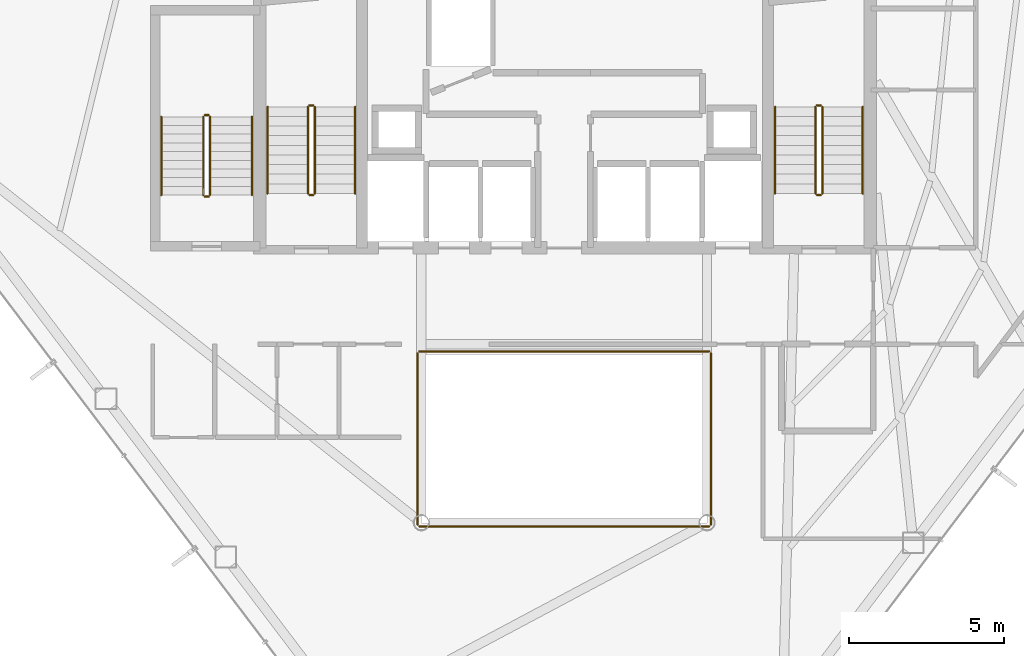
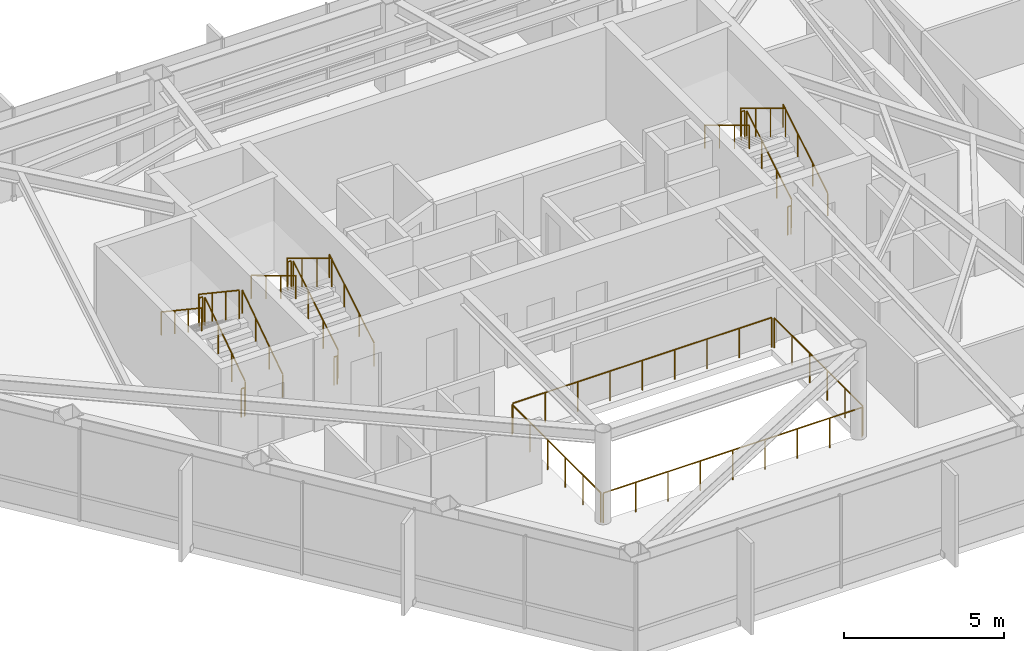
# One storey, part 27 of 27: 22 railings.
"""IFC4 building model written with IfcOpenShell, lengths in metres."""

from ifc_helpers import new_model, si_unit, direction, frame, origin, origin_2d, place, context, subcontext, project, spatial, circle, extrude, material, type_object, element, save


model = new_model("IFC4")

# Units and contexts
model_context = context("Model", 3, precision=1e-05, world=origin(), true_north=direction((0.0, 1.0)))
body_context = subcontext(model_context, "Body", "Model", "MODEL_VIEW")
ifc_project = project(units=[si_unit("LENGTHUNIT", "METRE"), si_unit("AREAUNIT", "SQUARE_METRE"), si_unit("VOLUMEUNIT", "CUBIC_METRE"), si_unit("PLANEANGLEUNIT", "RADIAN"), si_unit("MASSUNIT", "GRAM", prefix="KILO")], contexts=[model_context])

# Site, building, storey
site_placement = place(None, origin())
site = spatial("IfcSite", under=ifc_project, at=site_placement, CompositionType="ELEMENT")
building_placement = place(site_placement, origin())
building = spatial("IfcBuilding", under=site, at=building_placement, Name="Zarrinselat Tower", CompositionType="ELEMENT")
storey_placement = place(building_placement, frame((0.0, 0.0, 175.780029296875)))
storey = spatial("IfcBuildingStorey", under=building, at=storey_placement, Name="L43", CompositionType="ELEMENT", Elevation=175.780029296875)

# Railings
ifc_material_1 = material(Name="Double Low-E Laminated Solar Glass", Category="glass")
railing_type_1 = type_object("IfcRailingType", Name="RLG-ATRIUM-BAL", PredefinedType="BALUSTRADE", material=ifc_material_1)
railing_1_placement = place(storey_placement, frame((33.739990234375, 24.280029296875, 0.0)))
element("IfcRailing", 1, at=railing_1_placement, inside=storey, type_object=railing_type_1, Name="L43 Atrium Void Glass Balustrade S", PredefinedType="BALUSTRADE", context=body_context, shape_type="SweptSolid", body=[
    extrude(circle(Radius=0.02392578125, at=origin_2d()), frame((0.0, 0.0, 1.1259765625), z_axis=(1.0, 0.0, 0.0), x_axis=(0.0, 1.0, 0.0)), (0.0, 0.0, 1.0), 9.320068359375),
    extrude(circle(Radius=0.02099609375, at=origin_2d()), origin(), (0.0, 0.0, 1.0), 1.099853515625),
    extrude(circle(Radius=0.02099609375, at=origin_2d()), frame((1.1650390625, 0.0, 0.0)), (0.0, 0.0, 1.0), 1.099853515625),
    extrude(circle(Radius=0.02099609375, at=origin_2d()), frame((2.330078125, 0.0, 0.0)), (0.0, 0.0, 1.0), 1.099853515625),
    extrude(circle(Radius=0.02099609375, at=origin_2d()), frame((3.4951171875, 0.0, 0.0)), (0.0, 0.0, 1.0), 1.099853515625),
    extrude(circle(Radius=0.02099609375, at=origin_2d()), frame((4.66015625, 0.0, 0.0)), (0.0, 0.0, 1.0), 1.099853515625),
    extrude(circle(Radius=0.02099609375, at=origin_2d()), frame((5.824951171875, 0.0, 0.0)), (0.0, 0.0, 1.0), 1.099853515625),
    extrude(circle(Radius=0.02099609375, at=origin_2d()), frame((6.989990234375, 0.0, 0.0)), (0.0, 0.0, 1.0), 1.099853515625),
    extrude(circle(Radius=0.02099609375, at=origin_2d()), frame((8.155029296875, 0.0, 0.0)), (0.0, 0.0, 1.0), 1.099853515625),
    extrude(circle(Radius=0.02099609375, at=origin_2d()), frame((9.320068359375, 0.0, 0.0)), (0.0, 0.0, 1.0), 1.099853515625),
])
railing_2_placement = place(storey_placement, frame((43.1201171875, 24.340087890625, 0.0)))
element("IfcRailing", 2, at=railing_2_placement, inside=storey, type_object=railing_type_1, Name="L43 Atrium Void Glass Balustrade E", PredefinedType="BALUSTRADE", context=body_context, shape_type="SweptSolid", body=[
    extrude(circle(Radius=0.02392578125, at=origin_2d()), frame((0.0, 0.0, 1.1259765625), z_axis=(0.0, 1.0, 0.0), x_axis=(-1.0, 0.0, 0.0)), (0.0, 0.0, 1.0), 5.52001953125),
    extrude(circle(Radius=0.02099609375, at=origin_2d()), origin(), (0.0, 0.0, 1.0), 1.099853515625),
    extrude(circle(Radius=0.02099609375, at=origin_2d()), frame((0.0, 1.10400390625, 0.0)), (0.0, 0.0, 1.0), 1.099853515625),
    extrude(circle(Radius=0.02099609375, at=origin_2d()), frame((0.0, 2.2080078125, 0.0)), (0.0, 0.0, 1.0), 1.099853515625),
    extrude(circle(Radius=0.02099609375, at=origin_2d()), frame((0.0, 3.31201171875, 0.0)), (0.0, 0.0, 1.0), 1.099853515625),
    extrude(circle(Radius=0.02099609375, at=origin_2d()), frame((0.0, 4.416015625, 0.0)), (0.0, 0.0, 1.0), 1.099853515625),
    extrude(circle(Radius=0.02099609375, at=origin_2d()), frame((0.0, 5.52001953125, 0.0)), (0.0, 0.0, 1.0), 1.099853515625),
])
railing_3_placement = place(storey_placement, frame((43.06005859375, 29.919921875, 0.0)))
element("IfcRailing", 3, at=railing_3_placement, inside=storey, type_object=railing_type_1, Name="L43 Atrium Void Glass Balustrade N", PredefinedType="BALUSTRADE", context=body_context, shape_type="SweptSolid", body=[
    extrude(circle(Radius=0.02392578125, at=origin_2d()), frame((0.0, 0.0, 1.1259765625), z_axis=(-1.0, 0.0, 0.0), x_axis=(0.0, -1.0, 0.0)), (0.0, 0.0, 1.0), 9.320068359375),
    extrude(circle(Radius=0.02099609375, at=origin_2d()), origin(), (0.0, 0.0, 1.0), 1.099853515625),
    extrude(circle(Radius=0.02099609375, at=origin_2d()), frame((-1.1650390625, 0.0, 0.0)), (0.0, 0.0, 1.0), 1.099853515625),
    extrude(circle(Radius=0.02099609375, at=origin_2d()), frame((-2.330078125, 0.0, 0.0)), (0.0, 0.0, 1.0), 1.099853515625),
    extrude(circle(Radius=0.02099609375, at=origin_2d()), frame((-3.4951171875, 0.0, 0.0)), (0.0, 0.0, 1.0), 1.099853515625),
    extrude(circle(Radius=0.02099609375, at=origin_2d()), frame((-4.66015625, 0.0, 0.0)), (0.0, 0.0, 1.0), 1.099853515625),
    extrude(circle(Radius=0.02099609375, at=origin_2d()), frame((-5.824951171875, 0.0, 0.0)), (0.0, 0.0, 1.0), 1.099853515625),
    extrude(circle(Radius=0.02099609375, at=origin_2d()), frame((-6.989990234375, 0.0, 0.0)), (0.0, 0.0, 1.0), 1.099853515625),
    extrude(circle(Radius=0.02099609375, at=origin_2d()), frame((-8.155029296875, 0.0, 0.0)), (0.0, 0.0, 1.0), 1.099853515625),
    extrude(circle(Radius=0.02099609375, at=origin_2d()), frame((-9.320068359375, 0.0, 0.0)), (0.0, 0.0, 1.0), 1.099853515625),
])
railing_4_placement = place(storey_placement, frame((33.679931640625, 29.860107421875, 0.0)))
element("IfcRailing", 4, at=railing_4_placement, inside=storey, type_object=railing_type_1, Name="L43 Atrium Void Glass Balustrade W", PredefinedType="BALUSTRADE", context=body_context, shape_type="SweptSolid", body=[
    extrude(circle(Radius=0.02392578125, at=origin_2d()), frame((0.0, 0.0, 1.1259765625), z_axis=(0.0, -1.0, 0.0), x_axis=(1.0, 0.0, 0.0)), (0.0, 0.0, 1.0), 5.52001953125),
    extrude(circle(Radius=0.02099609375, at=origin_2d()), origin(), (0.0, 0.0, 1.0), 1.099853515625),
    extrude(circle(Radius=0.02099609375, at=origin_2d()), frame((0.0, -1.10400390625, 0.0)), (0.0, 0.0, 1.0), 1.099853515625),
    extrude(circle(Radius=0.02099609375, at=origin_2d()), frame((0.0, -2.2080078125, 0.0)), (0.0, 0.0, 1.0), 1.099853515625),
    extrude(circle(Radius=0.02099609375, at=origin_2d()), frame((0.0, -3.31201171875, 0.0)), (0.0, 0.0, 1.0), 1.099853515625),
    extrude(circle(Radius=0.02099609375, at=origin_2d()), frame((0.0, -4.416015625, 0.0)), (0.0, 0.0, 1.0), 1.099853515625),
    extrude(circle(Radius=0.02099609375, at=origin_2d()), frame((0.0, -5.52001953125, 0.0)), (0.0, 0.0, 1.0), 1.099853515625),
])
ifc_material_2 = material(Name="Steel S355J2", Category="steel")
railing_type_2 = type_object("IfcRailingType", Name="RLG-STAIR-GUARD", PredefinedType="GUARDRAIL", material=ifc_material_2)
railing_5_placement = place(storey_placement, frame((30.3701171875, 35.0, 0.18701171875)))
element("IfcRailing", 5, at=railing_5_placement, inside=storey, type_object=railing_type_2, Name="L43 ST-1 stair guard 1", PredefinedType="GUARDRAIL", context=body_context, shape_type="SweptSolid", body=[
    extrude(circle(Radius=0.02392578125, at=origin_2d()), frame((0.0, 0.0, 1.076171875), z_axis=(0.0, 0.856293938615, 0.516488809842), x_axis=(-1.0, 0.0, 0.0)), (0.0, 0.0, 1.0), 3.25830078125),
    extrude(circle(Radius=0.02099609375, at=origin_2d()), origin(), (0.0, 0.0, 1.0), 1.050048828125),
    extrude(circle(Radius=0.02099609375, at=origin_2d()), frame((0.0, 0.929931640625, 0.56103515625)), (0.0, 0.0, 1.0), 1.050048828125),
    extrude(circle(Radius=0.02099609375, at=origin_2d()), frame((0.0, 1.860107421875, 1.121826171875)), (0.0, 0.0, 1.0), 1.050048828125),
    extrude(circle(Radius=0.02099609375, at=origin_2d()), frame((0.0, 2.7900390625, 1.682861328125)), (0.0, 0.0, 1.0), 1.050048828125),
])
railing_6_placement = place(storey_placement, frame((30.320068359375, 37.840087890625, 1.869873046875)))
element("IfcRailing", 6, at=railing_6_placement, inside=storey, type_object=railing_type_2, Name="L43 ST-1 stair guard 2", PredefinedType="GUARDRAIL", context=body_context, shape_type="SweptSolid", body=[
    extrude(circle(Radius=0.02392578125, at=origin_2d()), frame((0.0, 0.0, 1.076171875), z_axis=(-1.0, 0.0, 0.0), x_axis=(0.0, -1.0, 0.0)), (0.0, 0.0, 1.0), 0.1201171875),
    extrude(circle(Radius=0.02099609375, at=origin_2d()), origin(), (0.0, 0.0, 1.0), 1.050048828125),
    extrude(circle(Radius=0.02099609375, at=origin_2d()), frame((-0.1201171875, 0.0, 0.0)), (0.0, 0.0, 1.0), 1.050048828125),
])
railing_7_placement = place(storey_placement, frame((30.14990234375, 37.7900390625, 2.056884765625)))
element("IfcRailing", 7, at=railing_7_placement, inside=storey, type_object=railing_type_2, Name="L43 ST-1 stair guard 3", PredefinedType="GUARDRAIL", context=body_context, shape_type="SweptSolid", body=[
    extrude(circle(Radius=0.02392578125, at=origin_2d()), frame((0.0, 0.0, 1.076171875), z_axis=(0.0, -0.856260799362, 0.516543747882), x_axis=(1.0, 0.0, 0.0)), (0.0, 0.0, 1.0), 3.25830078125),
    extrude(circle(Radius=0.02099609375, at=origin_2d()), origin(), (0.0, 0.0, 1.0), 1.050048828125),
    extrude(circle(Radius=0.02099609375, at=origin_2d()), frame((0.0, -0.929931640625, 0.56103515625)), (0.0, 0.0, 1.0), 1.050048828125),
    extrude(circle(Radius=0.02099609375, at=origin_2d()), frame((0.0, -1.860107421875, 1.1220703125)), (0.0, 0.0, 1.0), 1.050048828125),
    extrude(circle(Radius=0.02099609375, at=origin_2d()), frame((0.0, -2.7900390625, 1.68310546875)), (0.0, 0.0, 1.0), 1.050048828125),
])
railing_8_placement = place(storey_placement, frame((30.320068359375, 34.949951171875, 0.0)))
element("IfcRailing", 8, at=railing_8_placement, inside=storey, type_object=railing_type_2, Name="L43 ST-1 stair guard 4", PredefinedType="GUARDRAIL", context=body_context, shape_type="SweptSolid", body=[
    extrude(circle(Radius=0.02392578125, at=origin_2d()), frame((0.0, 0.0, 1.076171875), z_axis=(-1.0, 0.0, 0.0), x_axis=(0.0, -1.0, 0.0)), (0.0, 0.0, 1.0), 0.1201171875),
    extrude(circle(Radius=0.02099609375, at=origin_2d()), origin(), (0.0, 0.0, 1.0), 1.050048828125),
    extrude(circle(Radius=0.02099609375, at=origin_2d()), frame((-0.1201171875, 0.0, 0.0)), (0.0, 0.0, 1.0), 1.050048828125),
])
railing_9_placement = place(storey_placement, frame((46.7099609375, 35.0, 0.18701171875)))
element("IfcRailing", 9, at=railing_9_placement, inside=storey, type_object=railing_type_2, Name="L43 ST-2 stair guard 1", PredefinedType="GUARDRAIL", context=body_context, shape_type="SweptSolid", body=[
    extrude(circle(Radius=0.02392578125, at=origin_2d()), frame((0.0, 0.0, 1.076171875), z_axis=(0.0, 0.856293938615, 0.516488809842), x_axis=(-1.0, 0.0, 0.0)), (0.0, 0.0, 1.0), 3.25830078125),
    extrude(circle(Radius=0.02099609375, at=origin_2d()), origin(), (0.0, 0.0, 1.0), 1.050048828125),
    extrude(circle(Radius=0.02099609375, at=origin_2d()), frame((0.0, 0.929931640625, 0.56103515625)), (0.0, 0.0, 1.0), 1.050048828125),
    extrude(circle(Radius=0.02099609375, at=origin_2d()), frame((0.0, 1.860107421875, 1.121826171875)), (0.0, 0.0, 1.0), 1.050048828125),
    extrude(circle(Radius=0.02099609375, at=origin_2d()), frame((0.0, 2.7900390625, 1.682861328125)), (0.0, 0.0, 1.0), 1.050048828125),
])
railing_10_placement = place(storey_placement, frame((46.659912109375, 37.840087890625, 1.869873046875)))
element("IfcRailing", 10, at=railing_10_placement, inside=storey, type_object=railing_type_2, Name="L43 ST-2 stair guard 2", PredefinedType="GUARDRAIL", context=body_context, shape_type="SweptSolid", body=[
    extrude(circle(Radius=0.02392578125, at=origin_2d()), frame((0.0, 0.0, 1.076171875), z_axis=(-1.0, 0.0, 0.0), x_axis=(0.0, -1.0, 0.0)), (0.0, 0.0, 1.0), 0.119873046875),
    extrude(circle(Radius=0.02099609375, at=origin_2d()), origin(), (0.0, 0.0, 1.0), 1.050048828125),
    extrude(circle(Radius=0.02099609375, at=origin_2d()), frame((-0.119873046875, 0.0, 0.0)), (0.0, 0.0, 1.0), 1.050048828125),
])
railing_11_placement = place(storey_placement, frame((46.489990234375, 37.7900390625, 2.056884765625)))
element("IfcRailing", 11, at=railing_11_placement, inside=storey, type_object=railing_type_2, Name="L43 ST-2 stair guard 3", PredefinedType="GUARDRAIL", context=body_context, shape_type="SweptSolid", body=[
    extrude(circle(Radius=0.02392578125, at=origin_2d()), frame((0.0, 0.0, 1.076171875), z_axis=(0.0, -0.856260799362, 0.516543747882), x_axis=(1.0, 0.0, 0.0)), (0.0, 0.0, 1.0), 3.25830078125),
    extrude(circle(Radius=0.02099609375, at=origin_2d()), origin(), (0.0, 0.0, 1.0), 1.050048828125),
    extrude(circle(Radius=0.02099609375, at=origin_2d()), frame((0.0, -0.929931640625, 0.56103515625)), (0.0, 0.0, 1.0), 1.050048828125),
    extrude(circle(Radius=0.02099609375, at=origin_2d()), frame((0.0, -1.860107421875, 1.1220703125)), (0.0, 0.0, 1.0), 1.050048828125),
    extrude(circle(Radius=0.02099609375, at=origin_2d()), frame((0.0, -2.7900390625, 1.68310546875)), (0.0, 0.0, 1.0), 1.050048828125),
])
railing_12_placement = place(storey_placement, frame((46.659912109375, 34.949951171875, 0.0)))
element("IfcRailing", 12, at=railing_12_placement, inside=storey, type_object=railing_type_2, Name="L43 ST-2 stair guard 4", PredefinedType="GUARDRAIL", context=body_context, shape_type="SweptSolid", body=[
    extrude(circle(Radius=0.02392578125, at=origin_2d()), frame((0.0, 0.0, 1.076171875), z_axis=(-1.0, 0.0, 0.0), x_axis=(0.0, -1.0, 0.0)), (0.0, 0.0, 1.0), 0.119873046875),
    extrude(circle(Radius=0.02099609375, at=origin_2d()), origin(), (0.0, 0.0, 1.0), 1.050048828125),
    extrude(circle(Radius=0.02099609375, at=origin_2d()), frame((-0.119873046875, 0.0, 0.0)), (0.0, 0.0, 1.0), 1.050048828125),
])
railing_13_placement = place(storey_placement, frame((27.0, 34.949951171875, 0.18701171875)))
element("IfcRailing", 13, at=railing_13_placement, inside=storey, type_object=railing_type_2, Name="L43 ST-3 stair guard 1", PredefinedType="GUARDRAIL", context=body_context, shape_type="SweptSolid", body=[
    extrude(circle(Radius=0.02392578125, at=origin_2d()), frame((0.0, 0.0, 1.076171875), z_axis=(0.0, 0.831616215664, 0.555350762892), x_axis=(-1.0, 0.0, 0.0)), (0.0, 0.0, 1.0), 3.0302734375),
    extrude(circle(Radius=0.02099609375, at=origin_2d()), origin(), (0.0, 0.0, 1.0), 1.050048828125),
    extrude(circle(Radius=0.02099609375, at=origin_2d()), frame((0.0, 0.840087890625, 0.56103515625)), (0.0, 0.0, 1.0), 1.050048828125),
    extrude(circle(Radius=0.02099609375, at=origin_2d()), frame((0.0, 1.679931640625, 1.121826171875)), (0.0, 0.0, 1.0), 1.050048828125),
    extrude(circle(Radius=0.02099609375, at=origin_2d()), frame((0.0, 2.52001953125, 1.682861328125)), (0.0, 0.0, 1.0), 1.050048828125),
])
railing_14_placement = place(storey_placement, frame((26.949951171875, 37.52001953125, 1.869873046875)))
element("IfcRailing", 14, at=railing_14_placement, inside=storey, type_object=railing_type_2, Name="L43 ST-3 stair guard 2", PredefinedType="GUARDRAIL", context=body_context, shape_type="SweptSolid", body=[
    extrude(circle(Radius=0.02392578125, at=origin_2d()), frame((0.0, 0.0, 1.076171875), z_axis=(-1.0, 0.0, 0.0), x_axis=(0.0, -1.0, 0.0)), (0.0, 0.0, 1.0), 0.119873046875),
    extrude(circle(Radius=0.02099609375, at=origin_2d()), origin(), (0.0, 0.0, 1.0), 1.050048828125),
    extrude(circle(Radius=0.02099609375, at=origin_2d()), frame((-0.119873046875, 0.0, 0.0)), (0.0, 0.0, 1.0), 1.050048828125),
])
railing_15_placement = place(storey_placement, frame((26.780029296875, 37.469970703125, 2.056884765625)))
element("IfcRailing", 15, at=railing_15_placement, inside=storey, type_object=railing_type_2, Name="L43 ST-3 stair guard 3", PredefinedType="GUARDRAIL", context=body_context, shape_type="SweptSolid", body=[
    extrude(circle(Radius=0.02392578125, at=origin_2d()), frame((0.0, 0.0, 1.076171875), z_axis=(0.0, -0.831579006341, 0.555406478368), x_axis=(1.0, 0.0, 0.0)), (0.0, 0.0, 1.0), 3.030517578125),
    extrude(circle(Radius=0.02099609375, at=origin_2d()), origin(), (0.0, 0.0, 1.0), 1.050048828125),
    extrude(circle(Radius=0.02099609375, at=origin_2d()), frame((0.0, -0.840087890625, 0.56103515625)), (0.0, 0.0, 1.0), 1.050048828125),
    extrude(circle(Radius=0.02099609375, at=origin_2d()), frame((0.0, -1.679931640625, 1.1220703125)), (0.0, 0.0, 1.0), 1.050048828125),
    extrude(circle(Radius=0.02099609375, at=origin_2d()), frame((0.0, -2.52001953125, 1.68310546875)), (0.0, 0.0, 1.0), 1.050048828125),
])
railing_16_placement = place(storey_placement, frame((26.949951171875, 34.89990234375, 0.0)))
element("IfcRailing", 16, at=railing_16_placement, inside=storey, type_object=railing_type_2, Name="L43 ST-3 stair guard 4", PredefinedType="GUARDRAIL", context=body_context, shape_type="SweptSolid", body=[
    extrude(circle(Radius=0.02392578125, at=origin_2d()), frame((0.0, 0.0, 1.076171875), z_axis=(-1.0, 0.0, 0.0), x_axis=(0.0, -1.0, 0.0)), (0.0, 0.0, 1.0), 0.119873046875),
    extrude(circle(Radius=0.02099609375, at=origin_2d()), origin(), (0.0, 0.0, 1.0), 1.050048828125),
    extrude(circle(Radius=0.02099609375, at=origin_2d()), frame((-0.119873046875, 0.0, 0.0)), (0.0, 0.0, 1.0), 1.050048828125),
])
ifc_material_3 = material(Name="Steel S355J2", Category="steel")
railing_type_3 = type_object("IfcRailingType", Name="RLG-STAIR-HAND", PredefinedType="HANDRAIL", material=ifc_material_3)
railing_17_placement = place(storey_placement, frame((31.669921875, 35.0, 0.18701171875)))
element("IfcRailing", 17, at=railing_17_placement, inside=storey, type_object=railing_type_3, Name="L43 ST-1 stair handrail 1", PredefinedType="HANDRAIL", context=body_context, shape_type="SweptSolid", body=[
    extrude(circle(Radius=0.02392578125, at=origin_2d()), frame((0.0, 0.0, 0.8759765625), z_axis=(0.0, 0.856293938615, 0.516488809842), x_axis=(-1.0, 0.0, 0.0)), (0.0, 0.0, 1.0), 3.25830078125),
    extrude(circle(Radius=0.02099609375, at=origin_2d()), origin(), (0.0, 0.0, 1.0), 0.849853515625),
    extrude(circle(Radius=0.02099609375, at=origin_2d()), frame((0.0, 0.929931640625, 0.56103515625)), (0.0, 0.0, 1.0), 0.849853515625),
    extrude(circle(Radius=0.02099609375, at=origin_2d()), frame((0.0, 1.860107421875, 1.121826171875)), (0.0, 0.0, 1.0), 0.849853515625),
    extrude(circle(Radius=0.02099609375, at=origin_2d()), frame((0.0, 2.7900390625, 1.682861328125)), (0.0, 0.0, 1.0), 0.849853515625),
])
railing_18_placement = place(storey_placement, frame((28.85009765625, 37.7900390625, 2.056884765625)))
element("IfcRailing", 18, at=railing_18_placement, inside=storey, type_object=railing_type_3, Name="L43 ST-1 stair handrail 2", PredefinedType="HANDRAIL", context=body_context, shape_type="SweptSolid", body=[
    extrude(circle(Radius=0.02392578125, at=origin_2d()), frame((0.0, 0.0, 0.8759765625), z_axis=(0.0, -0.856260799362, 0.516543747882), x_axis=(1.0, 0.0, 0.0)), (0.0, 0.0, 1.0), 3.25830078125),
    extrude(circle(Radius=0.02099609375, at=origin_2d()), origin(), (0.0, 0.0, 1.0), 0.849853515625),
    extrude(circle(Radius=0.02099609375, at=origin_2d()), frame((0.0, -0.929931640625, 0.56103515625)), (0.0, 0.0, 1.0), 0.849853515625),
    extrude(circle(Radius=0.02099609375, at=origin_2d()), frame((0.0, -1.860107421875, 1.1220703125)), (0.0, 0.0, 1.0), 0.849853515625),
    extrude(circle(Radius=0.02099609375, at=origin_2d()), frame((0.0, -2.7900390625, 1.68310546875)), (0.0, 0.0, 1.0), 0.849853515625),
])
railing_19_placement = place(storey_placement, frame((48.010009765625, 35.0, 0.18701171875)))
element("IfcRailing", 19, at=railing_19_placement, inside=storey, type_object=railing_type_3, Name="L43 ST-2 stair handrail 1", PredefinedType="HANDRAIL", context=body_context, shape_type="SweptSolid", body=[
    extrude(circle(Radius=0.02392578125, at=origin_2d()), frame((0.0, 0.0, 0.8759765625), z_axis=(0.0, 0.856293938615, 0.516488809842), x_axis=(-1.0, 0.0, 0.0)), (0.0, 0.0, 1.0), 3.25830078125),
    extrude(circle(Radius=0.02099609375, at=origin_2d()), origin(), (0.0, 0.0, 1.0), 0.849853515625),
    extrude(circle(Radius=0.02099609375, at=origin_2d()), frame((0.0, 0.929931640625, 0.56103515625)), (0.0, 0.0, 1.0), 0.849853515625),
    extrude(circle(Radius=0.02099609375, at=origin_2d()), frame((0.0, 1.860107421875, 1.121826171875)), (0.0, 0.0, 1.0), 0.849853515625),
    extrude(circle(Radius=0.02099609375, at=origin_2d()), frame((0.0, 2.7900390625, 1.682861328125)), (0.0, 0.0, 1.0), 0.849853515625),
])
railing_20_placement = place(storey_placement, frame((45.18994140625, 37.7900390625, 2.056884765625)))
element("IfcRailing", 20, at=railing_20_placement, inside=storey, type_object=railing_type_3, Name="L43 ST-2 stair handrail 2", PredefinedType="HANDRAIL", context=body_context, shape_type="SweptSolid", body=[
    extrude(circle(Radius=0.02392578125, at=origin_2d()), frame((0.0, 0.0, 0.8759765625), z_axis=(0.0, -0.856260799362, 0.516543747882), x_axis=(1.0, 0.0, 0.0)), (0.0, 0.0, 1.0), 3.25830078125),
    extrude(circle(Radius=0.02099609375, at=origin_2d()), origin(), (0.0, 0.0, 1.0), 0.849853515625),
    extrude(circle(Radius=0.02099609375, at=origin_2d()), frame((0.0, -0.929931640625, 0.56103515625)), (0.0, 0.0, 1.0), 0.849853515625),
    extrude(circle(Radius=0.02099609375, at=origin_2d()), frame((0.0, -1.860107421875, 1.1220703125)), (0.0, 0.0, 1.0), 0.849853515625),
    extrude(circle(Radius=0.02099609375, at=origin_2d()), frame((0.0, -2.7900390625, 1.68310546875)), (0.0, 0.0, 1.0), 0.849853515625),
])
railing_21_placement = place(storey_placement, frame((28.35009765625, 34.949951171875, 0.18701171875)))
element("IfcRailing", 21, at=railing_21_placement, inside=storey, type_object=railing_type_3, Name="L43 ST-3 stair handrail 1", PredefinedType="HANDRAIL", context=body_context, shape_type="SweptSolid", body=[
    extrude(circle(Radius=0.02392578125, at=origin_2d()), frame((0.0, 0.0, 0.8759765625), z_axis=(0.0, 0.831616215664, 0.555350762892), x_axis=(-1.0, 0.0, 0.0)), (0.0, 0.0, 1.0), 3.0302734375),
    extrude(circle(Radius=0.02099609375, at=origin_2d()), origin(), (0.0, 0.0, 1.0), 0.849853515625),
    extrude(circle(Radius=0.02099609375, at=origin_2d()), frame((0.0, 0.840087890625, 0.56103515625)), (0.0, 0.0, 1.0), 0.849853515625),
    extrude(circle(Radius=0.02099609375, at=origin_2d()), frame((0.0, 1.679931640625, 1.121826171875)), (0.0, 0.0, 1.0), 0.849853515625),
    extrude(circle(Radius=0.02099609375, at=origin_2d()), frame((0.0, 2.52001953125, 1.682861328125)), (0.0, 0.0, 1.0), 0.849853515625),
])
railing_22_placement = place(storey_placement, frame((25.429931640625, 37.469970703125, 2.056884765625)))
element("IfcRailing", 22, at=railing_22_placement, inside=storey, type_object=railing_type_3, Name="L43 ST-3 stair handrail 2", PredefinedType="HANDRAIL", context=body_context, shape_type="SweptSolid", body=[
    extrude(circle(Radius=0.02392578125, at=origin_2d()), frame((0.0, 0.0, 0.8759765625), z_axis=(0.0, -0.831579006341, 0.555406478368), x_axis=(1.0, 0.0, 0.0)), (0.0, 0.0, 1.0), 3.030517578125),
    extrude(circle(Radius=0.02099609375, at=origin_2d()), origin(), (0.0, 0.0, 1.0), 0.849853515625),
    extrude(circle(Radius=0.02099609375, at=origin_2d()), frame((0.0, -0.840087890625, 0.56103515625)), (0.0, 0.0, 1.0), 0.849853515625),
    extrude(circle(Radius=0.02099609375, at=origin_2d()), frame((0.0, -1.679931640625, 1.1220703125)), (0.0, 0.0, 1.0), 0.849853515625),
    extrude(circle(Radius=0.02099609375, at=origin_2d()), frame((0.0, -2.52001953125, 1.68310546875)), (0.0, 0.0, 1.0), 0.849853515625),
])

save(model, "model.ifc")
